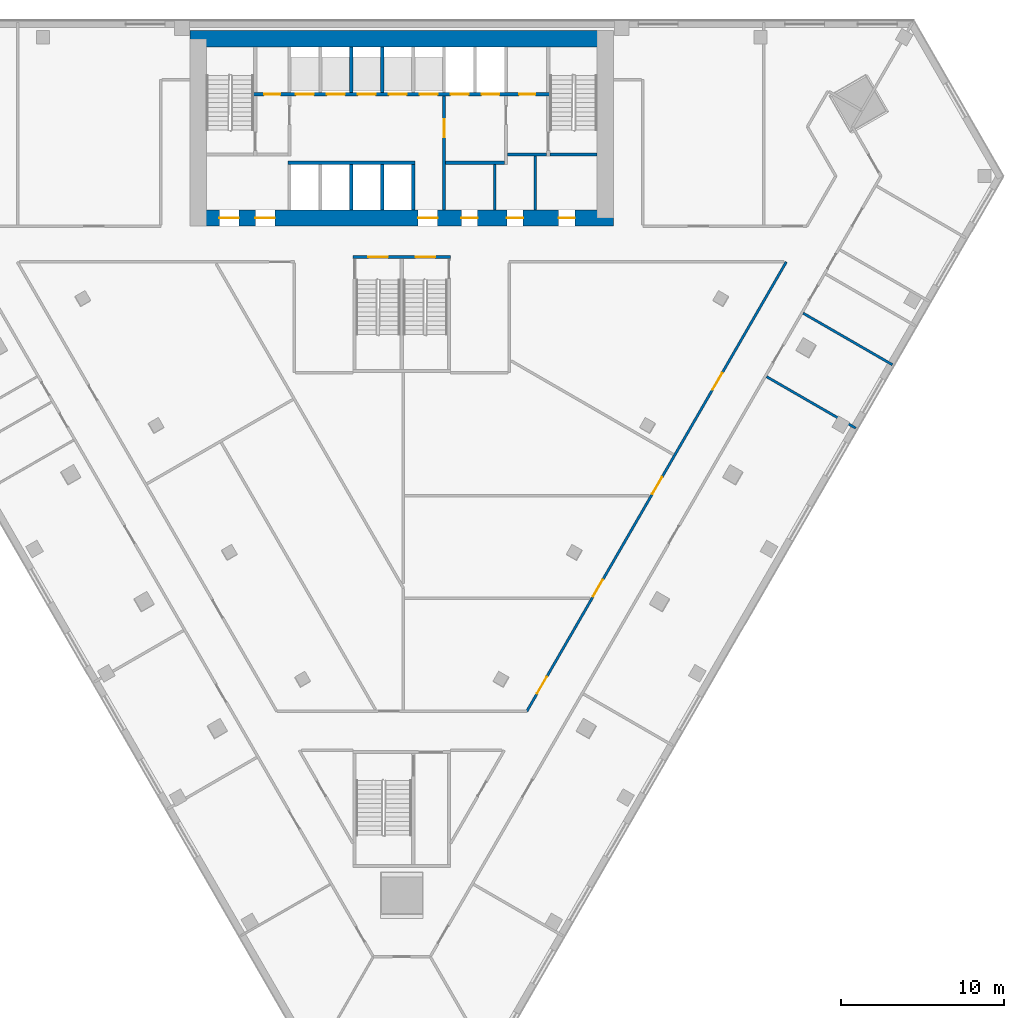
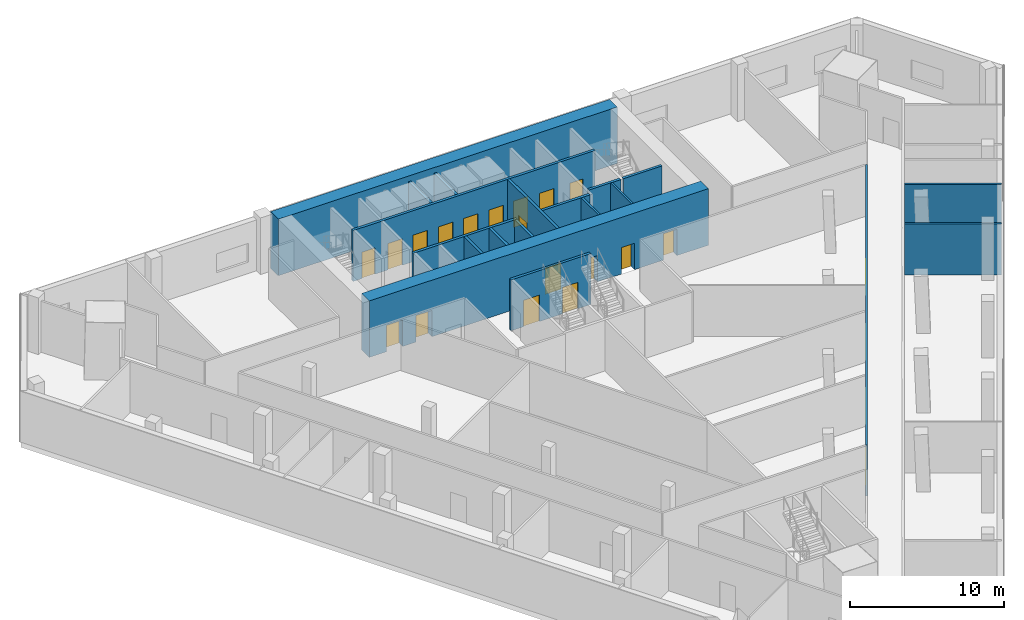
# One storey, part 5 of 9: 22 doors, 19 walls, 22 openings.
"""IFC4 building model written with IfcOpenShell, lengths in metres."""

from ifc_helpers import new_model, si_unit, direction, frame, frame_2d, origin, place, context, subcontext, project, spatial, rectangle, extrude, material, layer, layer_set, type_object, element, fill, save


model = new_model("IFC4")

# Units and contexts
model_context = context("Model", 3, precision=1e-05, world=origin(), true_north=direction((0.0, 1.0)))
body_context = subcontext(model_context, "Body", "Model", "MODEL_VIEW")
ifc_project = project(units=[si_unit("LENGTHUNIT", "METRE"), si_unit("AREAUNIT", "SQUARE_METRE"), si_unit("VOLUMEUNIT", "CUBIC_METRE"), si_unit("PLANEANGLEUNIT", "RADIAN"), si_unit("MASSUNIT", "GRAM", prefix="KILO")], contexts=[model_context])

# Site, building, storey
site_placement = place(None, origin())
site = spatial("IfcSite", under=ifc_project, at=site_placement, CompositionType="ELEMENT")
building_placement = place(site_placement, origin())
building = spatial("IfcBuilding", under=site, at=building_placement, Name="Altiplano Prism Tower", CompositionType="ELEMENT")
storey_placement = place(building_placement, frame((0.0, 0.0, 13.5)))
storey = spatial("IfcBuildingStorey", under=building, at=storey_placement, Name="L02", CompositionType="ELEMENT", Elevation=13.5)

# Wall, openings, doors
ifc_material_1 = material(Name="Concrete C70/85", Category="concrete")
ifc_layer_1 = layer(ifc_material_1, 1.0)
ifc_layer_set_1 = layer_set([ifc_layer_1], Name="Concrete C70/85")
wall_type_1 = type_object("IfcWallType", Name="Core wall 1000", PredefinedType="SHEAR", material=ifc_layer_set_1)
wall_1_placement = place(storey_placement, frame((72.5, 92.89990234375, 0.0), z_axis=(0.0, 0.0, 1.0), x_axis=(1.0, 0.0, 0.0)))
wall_1 = element("IfcWall", 1, at=wall_1_placement, inside=storey, type_object=wall_type_1, Name="Core wall S L02", PredefinedType="SHEAR", context=body_context, shape_type="SweptSolid", body=[
    extrude(rectangle(XDim=25.5, YDim=1.0, at=frame_2d((12.75, 0.0))), origin(), (0.0, 0.0, 1.0), 4.5),
])
opening_1_placement = place(wall_1_placement, frame((1.300048828125, 0.0, 0.0)))
opening_1 = element("IfcOpeningElement", 2, at=opening_1_placement, cuts=wall_1, Name="Opening D2618", PredefinedType="OPENING", context=body_context, shape_type="SweptSolid", body=[
    extrude(rectangle(XDim=1.199951171875, YDim=2.10009765625, at=frame_2d((0.60009765625, 1.050048828125))), frame((0.0, 0.510498046875, 0.0), z_axis=(0.0, -1.0, 0.0), x_axis=(1.0, 0.0, 0.0)), (0.0, 0.0, 1.0), 1.02099609375),
])
opening_2_placement = place(wall_1_placement, frame((3.5, 0.0, 0.0)))
opening_2 = element("IfcOpeningElement", 3, at=opening_2_placement, cuts=wall_1, Name="Opening D2619", PredefinedType="OPENING", context=body_context, shape_type="SweptSolid", body=[
    extrude(rectangle(XDim=1.199951171875, YDim=2.10009765625, at=frame_2d((0.60009765625, 1.050048828125))), frame((0.0, 0.510498046875, 0.0), z_axis=(0.0, -1.0, 0.0), x_axis=(1.0, 0.0, 0.0)), (0.0, 0.0, 1.0), 1.02099609375),
])
opening_3_placement = place(wall_1_placement, frame((13.5, 0.0, 0.0)))
opening_3 = element("IfcOpeningElement", 4, at=opening_3_placement, cuts=wall_1, Name="Opening D2620", PredefinedType="OPENING", context=body_context, shape_type="SweptSolid", body=[
    extrude(rectangle(XDim=1.199951171875, YDim=2.10009765625, at=frame_2d((0.60009765625, 1.050048828125))), frame((0.0, 0.510498046875, 0.0), z_axis=(0.0, -1.0, 0.0), x_axis=(1.0, 0.0, 0.0)), (0.0, 0.0, 1.0), 1.02099609375),
])
opening_4_placement = place(wall_1_placement, frame((16.16259765625, 0.0, 0.0)))
opening_4 = element("IfcOpeningElement", 5, at=opening_4_placement, cuts=wall_1, Name="Opening D2623", PredefinedType="OPENING", context=body_context, shape_type="SweptSolid", body=[
    extrude(rectangle(XDim=1.0, YDim=2.10009765625, at=frame_2d((0.5, 1.050048828125))), frame((0.0, 0.510498046875, 0.0), z_axis=(0.0, -1.0, 0.0), x_axis=(1.0, 0.0, 0.0)), (0.0, 0.0, 1.0), 1.02099609375),
])
opening_5_placement = place(wall_1_placement, frame((18.949951171875, 0.0, 0.0)))
opening_5 = element("IfcOpeningElement", 6, at=opening_5_placement, cuts=wall_1, Name="Opening D2624", PredefinedType="OPENING", context=body_context, shape_type="SweptSolid", body=[
    extrude(rectangle(XDim=1.0, YDim=2.10009765625, at=frame_2d((0.5, 1.050048828125))), frame((0.0, 0.510498046875, 0.0), z_axis=(0.0, -1.0, 0.0), x_axis=(1.0, 0.0, 0.0)), (0.0, 0.0, 1.0), 1.02099609375),
])
opening_6_placement = place(wall_1_placement, frame((22.137451171875, 0.0, 0.0)))
opening_6 = element("IfcOpeningElement", 7, at=opening_6_placement, cuts=wall_1, Name="Opening D2625", PredefinedType="OPENING", context=body_context, shape_type="SweptSolid", body=[
    extrude(rectangle(XDim=1.0, YDim=2.10009765625, at=frame_2d((0.5, 1.050048828125))), frame((0.0, 0.510498046875, 0.0), z_axis=(0.0, -1.0, 0.0), x_axis=(1.0, 0.0, 0.0)), (0.0, 0.0, 1.0), 1.02099609375),
])
ifc_material_2 = material(Name="Fire-rated steel door", Category="steel")
door_type_1 = type_object("IfcDoorType", Name="Core room door 1000 x 2100", OperationType="NOTDEFINED", PredefinedType="NOTDEFINED", material=ifc_material_2)
door_1_placement = place(opening_4_placement, origin())
door_1 = element("IfcDoor", 8, at=door_1_placement, inside=storey, type_object=door_type_1, Name="Core room door D2623", OperationType="SINGLE_SWING_RIGHT", OverallHeight=2.10009765625, OverallWidth=1.0, PredefinedType="NOTDEFINED", context=body_context, shape_type="SweptSolid", body=[
    extrude(rectangle(XDim=1.0, YDim=2.10009765625, at=frame_2d((0.5, 1.050048828125))), frame((0.0, 0.02490234375, 0.0), z_axis=(0.0, -1.0, 0.0), x_axis=(1.0, 0.0, 0.0)), (0.0, 0.0, 1.0), 0.050048828125),
])
fill(opening_4, door_1)
door_2_placement = place(opening_5_placement, origin())
door_2 = element("IfcDoor", 9, at=door_2_placement, inside=storey, type_object=door_type_1, Name="Core room door D2624", OperationType="SINGLE_SWING_LEFT", OverallHeight=2.10009765625, OverallWidth=1.0, PredefinedType="NOTDEFINED", context=body_context, shape_type="SweptSolid", body=[
    extrude(rectangle(XDim=1.0, YDim=2.10009765625, at=frame_2d((0.5, 1.050048828125))), frame((0.0, 0.02490234375, 0.0), z_axis=(0.0, -1.0, 0.0), x_axis=(1.0, 0.0, 0.0)), (0.0, 0.0, 1.0), 0.050048828125),
])
fill(opening_5, door_2)
door_3_placement = place(opening_6_placement, origin())
door_3 = element("IfcDoor", 10, at=door_3_placement, inside=storey, type_object=door_type_1, Name="Core room door D2625", OperationType="SINGLE_SWING_RIGHT", OverallHeight=2.10009765625, OverallWidth=1.0, PredefinedType="NOTDEFINED", context=body_context, shape_type="SweptSolid", body=[
    extrude(rectangle(XDim=1.0, YDim=2.10009765625, at=frame_2d((0.5, 1.050048828125))), frame((0.0, 0.02490234375, 0.0), z_axis=(0.0, -1.0, 0.0), x_axis=(1.0, 0.0, 0.0)), (0.0, 0.0, 1.0), 0.050048828125),
])
fill(opening_6, door_3)
door_type_2 = type_object("IfcDoorType", Name="Lobby fire door 1200 x 2100", OperationType="NOTDEFINED", PredefinedType="NOTDEFINED", material=ifc_material_2)
door_4_placement = place(opening_1_placement, origin())
door_4 = element("IfcDoor", 11, at=door_4_placement, inside=storey, type_object=door_type_2, Name="Lobby fire door D2618", OperationType="SINGLE_SWING_RIGHT", OverallHeight=2.10009765625, OverallWidth=1.199951171875, PredefinedType="NOTDEFINED", context=body_context, shape_type="SweptSolid", body=[
    extrude(rectangle(XDim=1.199951171875, YDim=2.10009765625, at=frame_2d((0.60009765625, 1.050048828125))), frame((0.0, 0.02490234375, 0.0), z_axis=(0.0, -1.0, 0.0), x_axis=(1.0, 0.0, 0.0)), (0.0, 0.0, 1.0), 0.050048828125),
])
fill(opening_1, door_4)
door_5_placement = place(opening_2_placement, origin())
door_5 = element("IfcDoor", 12, at=door_5_placement, inside=storey, type_object=door_type_2, Name="Lobby fire door D2619", OperationType="SINGLE_SWING_LEFT", OverallHeight=2.10009765625, OverallWidth=1.199951171875, PredefinedType="NOTDEFINED", context=body_context, shape_type="SweptSolid", body=[
    extrude(rectangle(XDim=1.199951171875, YDim=2.10009765625, at=frame_2d((0.60009765625, 1.050048828125))), frame((0.0, 0.02490234375, 0.0), z_axis=(0.0, -1.0, 0.0), x_axis=(1.0, 0.0, 0.0)), (0.0, 0.0, 1.0), 0.050048828125),
])
fill(opening_2, door_5)
door_6_placement = place(opening_3_placement, origin())
door_6 = element("IfcDoor", 13, at=door_6_placement, inside=storey, type_object=door_type_2, Name="Lobby fire door D2620", OperationType="SINGLE_SWING_RIGHT", OverallHeight=2.10009765625, OverallWidth=1.199951171875, PredefinedType="NOTDEFINED", context=body_context, shape_type="SweptSolid", body=[
    extrude(rectangle(XDim=1.199951171875, YDim=2.10009765625, at=frame_2d((0.60009765625, 1.050048828125))), frame((0.0, 0.02490234375, 0.0), z_axis=(0.0, -1.0, 0.0), x_axis=(1.0, 0.0, 0.0)), (0.0, 0.0, 1.0), 0.050048828125),
])
fill(opening_3, door_6)

# Wall
wall_2_placement = place(storey_placement, frame((97.5, 103.89990234375, 0.0), z_axis=(0.0, 0.0, 1.0), x_axis=(-1.0, 0.0, 0.0)))
element("IfcWall", 14, at=wall_2_placement, inside=storey, type_object=wall_type_1, Name="Core wall N L02", PredefinedType="SHEAR", context=body_context, shape_type="SweptSolid", body=[
    extrude(rectangle(XDim=25.5, YDim=1.0, at=frame_2d((12.75, 0.0))), origin(), (0.0, 0.0, 1.0), 4.5),
])

# Wall, openings, doors
ifc_material_3 = material(Name="Plasterboard on steel stud", Category="steel")
ifc_layer_2 = layer(ifc_material_3, 0.14990234375)
ifc_layer_set_2 = layer_set([ifc_layer_2], Name="Plasterboard on steel stud")
wall_type_2 = type_object("IfcWallType", Name="Partition 150 corridor", PredefinedType="PARTITIONING", material=ifc_layer_set_2)
wall_3_placement = place(storey_placement, frame((108.613525390625, 90.199951171875, 0.0), z_axis=(0.0, 0.0, 1.0), x_axis=(-0.500000743568, -0.866024974485, 0.0)))
wall_3 = element("IfcWall", 15, at=wall_3_placement, inside=storey, type_object=wall_type_2, Name="Partition P06 L02 011", PredefinedType="PARTITIONING", context=body_context, shape_type="SweptSolid", body=[
    extrude(rectangle(XDim=31.86962890625, YDim=0.14990234375, at=frame_2d((15.934814453125, 0.0))), origin(), (0.0, 0.0, 1.0), 4.050048828125),
])
opening_7_placement = place(wall_3_placement, frame((7.865966796875, 0.0, 0.0)))
opening_7 = element("IfcOpeningElement", 16, at=opening_7_placement, cuts=wall_3, Name="Opening D0069", PredefinedType="OPENING", context=body_context, shape_type="SweptSolid", body=[
    extrude(rectangle(XDim=1.199951171875, YDim=2.10009765625, at=frame_2d((0.60009765625, 1.050048828125))), frame((0.0, 0.08544921875, 0.0), z_axis=(0.0, -1.0, 0.0), x_axis=(1.0, 0.0, 0.0)), (0.0, 0.0, 1.0), 0.1708984375),
])
opening_8_placement = place(wall_3_placement, frame((15.25, 0.0, 0.0)))
opening_8 = element("IfcOpeningElement", 17, at=opening_8_placement, cuts=wall_3, Name="Opening D0071", PredefinedType="OPENING", context=body_context, shape_type="SweptSolid", body=[
    extrude(rectangle(XDim=1.199951171875, YDim=2.10009765625, at=frame_2d((0.60009765625, 1.050048828125))), frame((0.0, 0.08544921875, 0.0), z_axis=(0.0, -1.0, 0.0), x_axis=(1.0, 0.0, 0.0)), (0.0, 0.0, 1.0), 0.1708984375),
])
opening_9_placement = place(wall_3_placement, frame((22.535888671875, 0.0, 0.0)))
opening_9 = element("IfcOpeningElement", 18, at=opening_9_placement, cuts=wall_3, Name="Opening D0075", PredefinedType="OPENING", context=body_context, shape_type="SweptSolid", body=[
    extrude(rectangle(XDim=1.199951171875, YDim=2.10009765625, at=frame_2d((0.60009765625, 1.050048828125))), frame((0.0, 0.08544921875, 0.0), z_axis=(0.0, -1.0, 0.0), x_axis=(1.0, 0.0, 0.0)), (0.0, 0.0, 1.0), 0.1708984375),
])
opening_10_placement = place(wall_3_placement, frame((29.419921875, 0.0, 0.0)))
opening_10 = element("IfcOpeningElement", 19, at=opening_10_placement, cuts=wall_3, Name="Opening D0077", PredefinedType="OPENING", context=body_context, shape_type="SweptSolid", body=[
    extrude(rectangle(XDim=1.199951171875, YDim=2.10009765625, at=frame_2d((0.60009765625, 1.050048828125))), frame((0.0, 0.08544921875, 0.0), z_axis=(0.0, -1.0, 0.0), x_axis=(1.0, 0.0, 0.0)), (0.0, 0.0, 1.0), 0.1708984375),
])
ifc_material_4 = material(Name="Timber", Category="wood")
door_type_3 = type_object("IfcDoorType", Name="Shared room door 1200 x 2100", OperationType="NOTDEFINED", PredefinedType="NOTDEFINED", material=ifc_material_4)
door_7_placement = place(opening_7_placement, origin())
door_7 = element("IfcDoor", 20, at=door_7_placement, inside=storey, type_object=door_type_3, Name="Door D0069", OperationType="SINGLE_SWING_RIGHT", OverallHeight=2.10009765625, OverallWidth=1.199951171875, PredefinedType="NOTDEFINED", context=body_context, shape_type="SweptSolid", body=[
    extrude(rectangle(XDim=1.199951171875, YDim=2.10009765625, at=frame_2d((0.60009765625, 1.050048828125))), frame((0.0, 0.02490234375, 0.0), z_axis=(0.0, -1.0, 0.0), x_axis=(1.0, 0.0, 0.0)), (0.0, 0.0, 1.0), 0.050048828125),
])
fill(opening_7, door_7)
door_8_placement = place(opening_8_placement, origin())
door_8 = element("IfcDoor", 21, at=door_8_placement, inside=storey, type_object=door_type_3, Name="Door D0071", OperationType="SINGLE_SWING_LEFT", OverallHeight=2.10009765625, OverallWidth=1.199951171875, PredefinedType="NOTDEFINED", context=body_context, shape_type="SweptSolid", body=[
    extrude(rectangle(XDim=1.199951171875, YDim=2.10009765625, at=frame_2d((0.60009765625, 1.050048828125))), frame((0.0, 0.02490234375, 0.0), z_axis=(0.0, -1.0, 0.0), x_axis=(1.0, 0.0, 0.0)), (0.0, 0.0, 1.0), 0.050048828125),
])
fill(opening_8, door_8)
door_9_placement = place(opening_9_placement, origin())
door_9 = element("IfcDoor", 22, at=door_9_placement, inside=storey, type_object=door_type_3, Name="Door D0075", OperationType="SINGLE_SWING_LEFT", OverallHeight=2.10009765625, OverallWidth=1.199951171875, PredefinedType="NOTDEFINED", context=body_context, shape_type="SweptSolid", body=[
    extrude(rectangle(XDim=1.199951171875, YDim=2.10009765625, at=frame_2d((0.60009765625, 1.050048828125))), frame((0.0, 0.02490234375, 0.0), z_axis=(0.0, -1.0, 0.0), x_axis=(1.0, 0.0, 0.0)), (0.0, 0.0, 1.0), 0.050048828125),
])
fill(opening_9, door_9)
door_10_placement = place(opening_10_placement, origin())
door_10 = element("IfcDoor", 23, at=door_10_placement, inside=storey, type_object=door_type_3, Name="Door D0077", OperationType="SINGLE_SWING_RIGHT", OverallHeight=2.10009765625, OverallWidth=1.199951171875, PredefinedType="NOTDEFINED", context=body_context, shape_type="SweptSolid", body=[
    extrude(rectangle(XDim=1.199951171875, YDim=2.10009765625, at=frame_2d((0.60009765625, 1.050048828125))), frame((0.0, 0.02490234375, 0.0), z_axis=(0.0, -1.0, 0.0), x_axis=(1.0, 0.0, 0.0)), (0.0, 0.0, 1.0), 0.050048828125),
])
fill(opening_10, door_10)

# Walls
ifc_layer_3 = layer(ifc_material_3, 0.14990234375)
ifc_layer_set_3 = layer_set([ifc_layer_3], Name="Plasterboard on steel stud")
wall_type_3 = type_object("IfcWallType", Name="Partition 150 party", PredefinedType="PARTITIONING", material=ifc_layer_set_3)
for number, where, z_axis, x_axis, name in (
    (24, (112.881103515625, 79.991455078125, 0.0), (0.0, 0.0, 1.0), (-0.866042250622, 0.499970819286, 0.0), "Partition P01 L02 047"),
    (25, (115.131103515625, 83.888427734375, 0.0), (0.0, 0.0, 1.0), (-0.866025537322, 0.499999768706, 0.0), "Partition P01 L02 048"),
):
    element("IfcWall", number, at=place(storey_placement, frame(where, z_axis=z_axis, x_axis=x_axis)), inside=storey, type_object=wall_type_3, Name=name, PredefinedType="PARTITIONING", context=body_context, shape_type="SweptSolid", body=[
        extrude(rectangle(XDim=6.3251953125, YDim=0.14990234375, at=frame_2d((3.16259765625, 0.0))), origin(), (0.0, 0.0, 1.0), 4.050048828125),
    ])
ifc_material_5 = material(Name="Fire-rated gypsum board partition")
ifc_layer_4 = layer(ifc_material_5, 0.14990234375)
ifc_layer_set_4 = layer_set([ifc_layer_4], Name="Fire-rated gypsum board partition")
wall_type_4 = type_object("IfcWallType", Name="Room partition 150", PredefinedType="PARTITIONING", material=ifc_layer_set_4)
wall_4_placement = place(storey_placement, frame((90.699951171875, 93.39990234375, 0.0), z_axis=(0.0, 0.0, 1.0), x_axis=(0.0, 1.0, 0.0)))
element("IfcWall", 26, at=wall_4_placement, inside=storey, type_object=wall_type_4, Name="Room partition L02", PredefinedType="PARTITIONING", context=body_context, shape_type="SweptSolid", body=[
    extrude(rectangle(XDim=2.800048828125, YDim=0.14990234375, at=frame_2d((1.39990234375, 0.0))), origin(), (0.0, 0.0, 1.0), 4.050048828125),
])
wall_5_placement = place(storey_placement, frame((93.199951171875, 93.39990234375, 0.0), z_axis=(0.0, 0.0, 1.0), x_axis=(0.0, 1.0, 0.0)))
element("IfcWall", 27, at=wall_5_placement, inside=storey, type_object=wall_type_4, Name="Room partition L02", PredefinedType="PARTITIONING", context=body_context, shape_type="SweptSolid", body=[
    extrude(rectangle(XDim=3.300048828125, YDim=0.14990234375, at=frame_2d((1.64990234375, 0.0))), origin(), (0.0, 0.0, 1.0), 4.050048828125),
])
ifc_material_6 = material(Name="Concrete C60/75", Category="concrete")
ifc_layer_5 = layer(ifc_material_6, 0.199951171875)
ifc_layer_set_5 = layer_set([ifc_layer_5], Name="Concrete C60/75")
wall_type_5 = type_object("IfcWallType", Name="Shaft wall 200", PredefinedType="SOLIDWALL", material=ifc_layer_set_5)
for number, where, z_axis, x_axis, name in (
    (28, (81.89990234375, 93.39990234375, 0.0), (0.0, 0.0, 1.0), (0.0, 1.0, 0.0), "Shaft wall L02"),
    (29, (83.800048828125, 93.39990234375, 0.0), (0.0, 0.0, 1.0), (0.0, 1.0, 0.0), "Shaft wall L02"),
    (30, (85.699951171875, 93.39990234375, 0.0), (0.0, 0.0, 1.0), (0.0, 1.0, 0.0), "Shaft wall L02"),
):
    element("IfcWall", number, at=place(storey_placement, frame(where, z_axis=z_axis, x_axis=x_axis)), inside=storey, type_object=wall_type_5, Name=name, PredefinedType="SOLIDWALL", context=body_context, shape_type="SweptSolid", body=[
        extrude(rectangle(XDim=2.800048828125, YDim=0.199951171875, at=frame_2d((1.39990234375, 0.0))), origin(), (0.0, 0.0, 1.0), 4.050048828125),
    ])
wall_6_placement = place(storey_placement, frame((78.0, 96.300048828125, 0.0), z_axis=(0.0, 0.0, 1.0), x_axis=(1.0, 0.0, 0.0)))
element("IfcWall", 31, at=wall_6_placement, inside=storey, type_object=wall_type_5, Name="Shaft wall L02", PredefinedType="SOLIDWALL", context=body_context, shape_type="SweptSolid", body=[
    extrude(rectangle(XDim=7.800048828125, YDim=0.199951171875, at=frame_2d((3.89990234375, 0.0))), origin(), (0.0, 0.0, 1.0), 4.050048828125),
])
for number, where, z_axis, x_axis, name in (
    (32, (81.89990234375, 100.60009765625, 0.0), (0.0, 0.0, 1.0), (0.0, 1.0, 0.0), "Shaft wall L02"),
    (33, (83.800048828125, 100.60009765625, 0.0), (0.0, 0.0, 1.0), (0.0, 1.0, 0.0), "Shaft wall L02"),
):
    element("IfcWall", number, at=place(storey_placement, frame(where, z_axis=z_axis, x_axis=x_axis)), inside=storey, type_object=wall_type_5, Name=name, PredefinedType="SOLIDWALL", context=body_context, shape_type="SweptSolid", body=[
        extrude(rectangle(XDim=2.7998046875, YDim=0.199951171875, at=frame_2d((1.39990234375, 0.0))), origin(), (0.0, 0.0, 1.0), 4.050048828125),
    ])
ifc_layer_6 = layer(ifc_material_6, 0.199951171875)
ifc_layer_set_6 = layer_set([ifc_layer_6], Name="Concrete C60/75")
wall_type_6 = type_object("IfcWallType", Name="Stair wall 200", PredefinedType="SOLIDWALL", material=ifc_layer_set_6)
wall_7_placement = place(storey_placement, frame((94.10009765625, 96.800048828125, 0.0), z_axis=(0.0, 0.0, 1.0), x_axis=(1.0, 0.0, 0.0)))
element("IfcWall", 34, at=wall_7_placement, inside=storey, type_object=wall_type_6, Name="Stair wall L02", PredefinedType="SOLIDWALL", context=body_context, shape_type="SweptSolid", body=[
    extrude(rectangle(XDim=2.89990234375, YDim=0.199951171875, at=frame_2d((1.449951171875, 0.0))), origin(), (0.0, 0.0, 1.0), 4.050048828125),
])

# Wall, openings, doors
wall_8_placement = place(storey_placement, frame((75.89990234375, 100.5, 0.0), z_axis=(0.0, 0.0, 1.0), x_axis=(1.0, 0.0, 0.0)))
wall_8 = element("IfcWall", 35, at=wall_8_placement, inside=storey, type_object=wall_type_6, Name="Stair wall L02", PredefinedType="SOLIDWALL", context=body_context, shape_type="SweptSolid", body=[
    extrude(rectangle(XDim=18.2001953125, YDim=0.199951171875, at=frame_2d((9.10009765625, 0.0))), origin(), (0.0, 0.0, 1.0), 4.050048828125),
])
opening_11_placement = place(wall_8_placement, frame((2.60009765625, 0.0, 0.0)))
opening_11 = element("IfcOpeningElement", 36, at=opening_11_placement, cuts=wall_8, Name="Opening LD-LL1-L02", PredefinedType="OPENING", context=body_context, shape_type="SweptSolid", body=[
    extrude(rectangle(XDim=1.10009765625, YDim=2.10009765625, at=frame_2d((0.550048828125, 1.050048828125))), frame((0.0, 0.1103515625, 0.0), z_axis=(0.0, -1.0, 0.0), x_axis=(1.0, 0.0, 0.0)), (0.0, 0.0, 1.0), 0.220947265625),
])
opening_12_placement = place(wall_8_placement, frame((4.5, 0.0, 0.0)))
opening_12 = element("IfcOpeningElement", 37, at=opening_12_placement, cuts=wall_8, Name="Opening LD-LL2-L02", PredefinedType="OPENING", context=body_context, shape_type="SweptSolid", body=[
    extrude(rectangle(XDim=1.10009765625, YDim=2.10009765625, at=frame_2d((0.550048828125, 1.050048828125))), frame((0.0, 0.1103515625, 0.0), z_axis=(0.0, -1.0, 0.0), x_axis=(1.0, 0.0, 0.0)), (0.0, 0.0, 1.0), 0.220947265625),
])
opening_13_placement = place(wall_8_placement, frame((6.39990234375, 0.0, 0.0)))
opening_13 = element("IfcOpeningElement", 38, at=opening_13_placement, cuts=wall_8, Name="Opening LD-LL3-L02", PredefinedType="OPENING", context=body_context, shape_type="SweptSolid", body=[
    extrude(rectangle(XDim=1.10009765625, YDim=2.10009765625, at=frame_2d((0.550048828125, 1.050048828125))), frame((0.0, 0.1103515625, 0.0), z_axis=(0.0, -1.0, 0.0), x_axis=(1.0, 0.0, 0.0)), (0.0, 0.0, 1.0), 0.220947265625),
])
opening_14_placement = place(wall_8_placement, frame((8.300048828125, 0.0, 0.0)))
opening_14 = element("IfcOpeningElement", 39, at=opening_14_placement, cuts=wall_8, Name="Opening LD-LL4-L02", PredefinedType="OPENING", context=body_context, shape_type="SweptSolid", body=[
    extrude(rectangle(XDim=1.10009765625, YDim=2.10009765625, at=frame_2d((0.550048828125, 1.050048828125))), frame((0.0, 0.1103515625, 0.0), z_axis=(0.0, -1.0, 0.0), x_axis=(1.0, 0.0, 0.0)), (0.0, 0.0, 1.0), 0.220947265625),
])
opening_15_placement = place(wall_8_placement, frame((10.199951171875, 0.0, 0.0)))
opening_15 = element("IfcOpeningElement", 40, at=opening_15_placement, cuts=wall_8, Name="Opening LD-LL5-L02", PredefinedType="OPENING", context=body_context, shape_type="SweptSolid", body=[
    extrude(rectangle(XDim=1.10009765625, YDim=2.10009765625, at=frame_2d((0.550048828125, 1.050048828125))), frame((0.0, 0.1103515625, 0.0), z_axis=(0.0, -1.0, 0.0), x_axis=(1.0, 0.0, 0.0)), (0.0, 0.0, 1.0), 0.220947265625),
])
opening_16_placement = place(wall_8_placement, frame((12.10009765625, 0.0, 0.0)))
opening_16 = element("IfcOpeningElement", 41, at=opening_16_placement, cuts=wall_8, Name="Opening LD-FF1-L02", PredefinedType="OPENING", context=body_context, shape_type="SweptSolid", body=[
    extrude(rectangle(XDim=1.10009765625, YDim=2.10009765625, at=frame_2d((0.550048828125, 1.050048828125))), frame((0.0, 0.1103515625, 0.0), z_axis=(0.0, -1.0, 0.0), x_axis=(1.0, 0.0, 0.0)), (0.0, 0.0, 1.0), 0.220947265625),
])
opening_17_placement = place(wall_8_placement, frame((14.0, 0.0, 0.0)))
opening_17 = element("IfcOpeningElement", 42, at=opening_17_placement, cuts=wall_8, Name="Opening LD-FF2-L02", PredefinedType="OPENING", context=body_context, shape_type="SweptSolid", body=[
    extrude(rectangle(XDim=1.10009765625, YDim=2.10009765625, at=frame_2d((0.550048828125, 1.050048828125))), frame((0.0, 0.1103515625, 0.0), z_axis=(0.0, -1.0, 0.0), x_axis=(1.0, 0.0, 0.0)), (0.0, 0.0, 1.0), 0.220947265625),
])
opening_18_placement = place(wall_8_placement, frame((0.64990234375, 0.0, 0.0)))
opening_18 = element("IfcOpeningElement", 43, at=opening_18_placement, cuts=wall_8, Name="Opening D2621", PredefinedType="OPENING", context=body_context, shape_type="SweptSolid", body=[
    extrude(rectangle(XDim=1.0, YDim=2.10009765625, at=frame_2d((0.5, 1.050048828125))), frame((0.0, 0.1103515625, 0.0), z_axis=(0.0, -1.0, 0.0), x_axis=(1.0, 0.0, 0.0)), (0.0, 0.0, 1.0), 0.220947265625),
])
opening_19_placement = place(wall_8_placement, frame((16.300048828125, 0.0, 0.0)))
opening_19 = element("IfcOpeningElement", 44, at=opening_19_placement, cuts=wall_8, Name="Opening D2622", PredefinedType="OPENING", context=body_context, shape_type="SweptSolid", body=[
    extrude(rectangle(XDim=1.0, YDim=2.10009765625, at=frame_2d((0.5, 1.050048828125))), frame((0.0, 0.1103515625, 0.0), z_axis=(0.0, -1.0, 0.0), x_axis=(1.0, 0.0, 0.0)), (0.0, 0.0, 1.0), 0.220947265625),
])
door_11_placement = place(opening_18_placement, origin())
door_11 = element("IfcDoor", 45, at=door_11_placement, inside=storey, type_object=door_type_1, Name="Core room door D2621", OperationType="SINGLE_SWING_LEFT", OverallHeight=2.10009765625, OverallWidth=1.0, PredefinedType="NOTDEFINED", context=body_context, shape_type="SweptSolid", body=[
    extrude(rectangle(XDim=1.0, YDim=2.10009765625, at=frame_2d((0.5, 1.050048828125))), frame((0.0, 0.02490234375, 0.0), z_axis=(0.0, -1.0, 0.0), x_axis=(1.0, 0.0, 0.0)), (0.0, 0.0, 1.0), 0.050048828125),
])
fill(opening_18, door_11)
door_12_placement = place(opening_19_placement, origin())
door_12 = element("IfcDoor", 46, at=door_12_placement, inside=storey, type_object=door_type_1, Name="Core room door D2622", OperationType="SINGLE_SWING_RIGHT", OverallHeight=2.10009765625, OverallWidth=1.0, PredefinedType="NOTDEFINED", context=body_context, shape_type="SweptSolid", body=[
    extrude(rectangle(XDim=1.0, YDim=2.10009765625, at=frame_2d((0.5, 1.050048828125))), frame((0.0, 0.02490234375, 0.0), z_axis=(0.0, -1.0, 0.0), x_axis=(1.0, 0.0, 0.0)), (0.0, 0.0, 1.0), 0.050048828125),
])
fill(opening_19, door_12)
ifc_material_7 = material(Name="Stainless steel landing door", Category="steel")
door_type_4 = type_object("IfcDoorType", Name="Landing door 1100 x 2100", OperationType="NOTDEFINED", PredefinedType="NOTDEFINED", material=ifc_material_7)
door_13_placement = place(opening_11_placement, origin())
door_13 = element("IfcDoor", 47, at=door_13_placement, inside=storey, type_object=door_type_4, Name="Landing doors LL1", OperationType="SLIDING_TO_RIGHT", OverallHeight=2.10009765625, OverallWidth=1.10009765625, PredefinedType="NOTDEFINED", context=body_context, shape_type="SweptSolid", body=[
    extrude(rectangle(XDim=1.10009765625, YDim=2.10009765625, at=frame_2d((0.550048828125, 1.050048828125))), frame((0.0, 0.02490234375, 0.0), z_axis=(0.0, -1.0, 0.0), x_axis=(1.0, 0.0, 0.0)), (0.0, 0.0, 1.0), 0.050048828125),
])
fill(opening_11, door_13)
door_14_placement = place(opening_12_placement, origin())
door_14 = element("IfcDoor", 48, at=door_14_placement, inside=storey, type_object=door_type_4, Name="Landing doors LL2", OperationType="SLIDING_TO_LEFT", OverallHeight=2.10009765625, OverallWidth=1.10009765625, PredefinedType="NOTDEFINED", context=body_context, shape_type="SweptSolid", body=[
    extrude(rectangle(XDim=1.10009765625, YDim=2.10009765625, at=frame_2d((0.550048828125, 1.050048828125))), frame((0.0, 0.02490234375, 0.0), z_axis=(0.0, -1.0, 0.0), x_axis=(1.0, 0.0, 0.0)), (0.0, 0.0, 1.0), 0.050048828125),
])
fill(opening_12, door_14)
door_15_placement = place(opening_13_placement, origin())
door_15 = element("IfcDoor", 49, at=door_15_placement, inside=storey, type_object=door_type_4, Name="Landing doors LL3", OperationType="SLIDING_TO_RIGHT", OverallHeight=2.10009765625, OverallWidth=1.10009765625, PredefinedType="NOTDEFINED", context=body_context, shape_type="SweptSolid", body=[
    extrude(rectangle(XDim=1.10009765625, YDim=2.10009765625, at=frame_2d((0.550048828125, 1.050048828125))), frame((0.0, 0.02490234375, 0.0), z_axis=(0.0, -1.0, 0.0), x_axis=(1.0, 0.0, 0.0)), (0.0, 0.0, 1.0), 0.050048828125),
])
fill(opening_13, door_15)
door_16_placement = place(opening_14_placement, origin())
door_16 = element("IfcDoor", 50, at=door_16_placement, inside=storey, type_object=door_type_4, Name="Landing doors LL4", OperationType="SLIDING_TO_LEFT", OverallHeight=2.10009765625, OverallWidth=1.10009765625, PredefinedType="NOTDEFINED", context=body_context, shape_type="SweptSolid", body=[
    extrude(rectangle(XDim=1.10009765625, YDim=2.10009765625, at=frame_2d((0.550048828125, 1.050048828125))), frame((0.0, 0.02490234375, 0.0), z_axis=(0.0, -1.0, 0.0), x_axis=(1.0, 0.0, 0.0)), (0.0, 0.0, 1.0), 0.050048828125),
])
fill(opening_14, door_16)
door_17_placement = place(opening_15_placement, origin())
door_17 = element("IfcDoor", 51, at=door_17_placement, inside=storey, type_object=door_type_4, Name="Landing doors LL5", OperationType="SLIDING_TO_RIGHT", OverallHeight=2.10009765625, OverallWidth=1.10009765625, PredefinedType="NOTDEFINED", context=body_context, shape_type="SweptSolid", body=[
    extrude(rectangle(XDim=1.10009765625, YDim=2.10009765625, at=frame_2d((0.550048828125, 1.050048828125))), frame((0.0, 0.02490234375, 0.0), z_axis=(0.0, -1.0, 0.0), x_axis=(1.0, 0.0, 0.0)), (0.0, 0.0, 1.0), 0.050048828125),
])
fill(opening_15, door_17)
door_18_placement = place(opening_16_placement, origin())
door_18 = element("IfcDoor", 52, at=door_18_placement, inside=storey, type_object=door_type_4, Name="Landing doors FF1", OperationType="SLIDING_TO_RIGHT", OverallHeight=2.10009765625, OverallWidth=1.10009765625, PredefinedType="NOTDEFINED", context=body_context, shape_type="SweptSolid", body=[
    extrude(rectangle(XDim=1.10009765625, YDim=2.10009765625, at=frame_2d((0.550048828125, 1.050048828125))), frame((0.0, 0.02490234375, 0.0), z_axis=(0.0, -1.0, 0.0), x_axis=(1.0, 0.0, 0.0)), (0.0, 0.0, 1.0), 0.050048828125),
])
fill(opening_16, door_18)
door_19_placement = place(opening_17_placement, origin())
door_19 = element("IfcDoor", 53, at=door_19_placement, inside=storey, type_object=door_type_4, Name="Landing doors FF2", OperationType="SLIDING_TO_LEFT", OverallHeight=2.10009765625, OverallWidth=1.10009765625, PredefinedType="NOTDEFINED", context=body_context, shape_type="SweptSolid", body=[
    extrude(rectangle(XDim=1.10009765625, YDim=2.10009765625, at=frame_2d((0.550048828125, 1.050048828125))), frame((0.0, 0.02490234375, 0.0), z_axis=(0.0, -1.0, 0.0), x_axis=(1.0, 0.0, 0.0)), (0.0, 0.0, 1.0), 0.050048828125),
])
fill(opening_17, door_19)

wall_9_placement = place(storey_placement, frame((82.0, 90.5, 0.0), z_axis=(0.0, 0.0, 1.0), x_axis=(1.0, 0.0, 0.0)))
wall_9 = element("IfcWall", 54, at=wall_9_placement, inside=storey, type_object=wall_type_6, Name="Stair 3 wall north L02", PredefinedType="SOLIDWALL", context=body_context, shape_type="SweptSolid", body=[
    extrude(rectangle(XDim=6.0, YDim=0.199951171875, at=frame_2d((3.0, 0.0))), origin(), (0.0, 0.0, 1.0), 4.050048828125),
])
opening_20_placement = place(wall_9_placement, frame((0.949951171875, 0.0, 0.0)))
opening_20 = element("IfcOpeningElement", 55, at=opening_20_placement, cuts=wall_9, Name="Opening D3920", PredefinedType="OPENING", context=body_context, shape_type="SweptSolid", body=[
    extrude(rectangle(XDim=1.199951171875, YDim=2.10009765625, at=frame_2d((0.60009765625, 1.050048828125))), frame((0.0, 0.1103515625, 0.0), z_axis=(0.0, -1.0, 0.0), x_axis=(1.0, 0.0, 0.0)), (0.0, 0.0, 1.0), 0.220947265625),
])
opening_21_placement = place(wall_9_placement, frame((3.85009765625, 0.0, 0.0)))
opening_21 = element("IfcOpeningElement", 56, at=opening_21_placement, cuts=wall_9, Name="Opening D3922", PredefinedType="OPENING", context=body_context, shape_type="SweptSolid", body=[
    extrude(rectangle(XDim=1.199951171875, YDim=2.10009765625, at=frame_2d((0.60009765625, 1.050048828125))), frame((0.0, 0.1103515625, 0.0), z_axis=(0.0, -1.0, 0.0), x_axis=(1.0, 0.0, 0.0)), (0.0, 0.0, 1.0), 0.220947265625),
])
door_type_5 = type_object("IfcDoorType", Name="Stair fire door 1200 x 2100", OperationType="NOTDEFINED", PredefinedType="NOTDEFINED", material=ifc_material_2)
door_20_placement = place(opening_20_placement, origin())
door_20 = element("IfcDoor", 57, at=door_20_placement, inside=storey, type_object=door_type_5, Name="Stair fire door D3920", OperationType="SINGLE_SWING_LEFT", OverallHeight=2.10009765625, OverallWidth=1.199951171875, PredefinedType="NOTDEFINED", context=body_context, shape_type="SweptSolid", body=[
    extrude(rectangle(XDim=1.199951171875, YDim=2.10009765625, at=frame_2d((0.60009765625, 1.050048828125))), frame((0.0, 0.02490234375, 0.0), z_axis=(0.0, -1.0, 0.0), x_axis=(1.0, 0.0, 0.0)), (0.0, 0.0, 1.0), 0.050048828125),
])
fill(opening_20, door_20)
door_21_placement = place(opening_21_placement, origin())
door_21 = element("IfcDoor", 58, at=door_21_placement, inside=storey, type_object=door_type_5, Name="Stair fire door D3922", OperationType="SINGLE_SWING_LEFT", OverallHeight=2.10009765625, OverallWidth=1.199951171875, PredefinedType="NOTDEFINED", context=body_context, shape_type="SweptSolid", body=[
    extrude(rectangle(XDim=1.199951171875, YDim=2.10009765625, at=frame_2d((0.60009765625, 1.050048828125))), frame((0.0, 0.02490234375, 0.0), z_axis=(0.0, -1.0, 0.0), x_axis=(1.0, 0.0, 0.0)), (0.0, 0.0, 1.0), 0.050048828125),
])
fill(opening_21, door_21)

# Wall, opening, door
ifc_layer_7 = layer(ifc_material_6, 0.199951171875)
ifc_layer_set_7 = layer_set([ifc_layer_7], Name="Concrete C60/75")
wall_type_7 = type_object("IfcWallType", Name="Vestibule wall 200", PredefinedType="PARTITIONING", material=ifc_layer_set_7)
wall_10_placement = place(storey_placement, frame((87.60009765625, 93.39990234375, 0.0), z_axis=(0.0, 0.0, 1.0), x_axis=(0.0, 1.0, 0.0)))
wall_10 = element("IfcWall", 59, at=wall_10_placement, inside=storey, type_object=wall_type_7, Name="Vestibule wall L02", PredefinedType="PARTITIONING", context=body_context, shape_type="SweptSolid", body=[
    extrude(rectangle(XDim=7.0, YDim=0.199951171875, at=frame_2d((3.5, 0.0))), origin(), (0.0, 0.0, 1.0), 4.050048828125),
])
opening_22_placement = place(wall_10_placement, frame((4.449951171875, 0.0, 0.0)))
opening_22 = element("IfcOpeningElement", 60, at=opening_22_placement, cuts=wall_10, Name="Opening D2616", PredefinedType="OPENING", context=body_context, shape_type="SweptSolid", body=[
    extrude(rectangle(XDim=1.10009765625, YDim=2.10009765625, at=frame_2d((0.550048828125, 1.050048828125))), frame((0.0, 0.1103515625, 0.0), z_axis=(0.0, -1.0, 0.0), x_axis=(1.0, 0.0, 0.0)), (0.0, 0.0, 1.0), 0.220947265625),
])
door_type_6 = type_object("IfcDoorType", Name="Vestibule fire door 1100 x 2100", OperationType="NOTDEFINED", PredefinedType="NOTDEFINED", material=ifc_material_2)
door_22_placement = place(opening_22_placement, origin())
door_22 = element("IfcDoor", 61, at=door_22_placement, inside=storey, type_object=door_type_6, Name="Vestibule fire door D2616", OperationType="SINGLE_SWING_RIGHT", OverallHeight=2.10009765625, OverallWidth=1.10009765625, PredefinedType="NOTDEFINED", context=body_context, shape_type="SweptSolid", body=[
    extrude(rectangle(XDim=1.10009765625, YDim=2.10009765625, at=frame_2d((0.550048828125, 1.050048828125))), frame((0.0, 0.02490234375, 0.0), z_axis=(0.0, -1.0, 0.0), x_axis=(1.0, 0.0, 0.0)), (0.0, 0.0, 1.0), 0.050048828125),
])
fill(opening_22, door_22)

# Walls
wall_11_placement = place(storey_placement, frame((87.699951171875, 96.300048828125, 0.0), z_axis=(0.0, 0.0, 1.0), x_axis=(1.0, 0.0, 0.0)))
element("IfcWall", 62, at=wall_11_placement, inside=storey, type_object=wall_type_7, Name="Vestibule wall L02", PredefinedType="PARTITIONING", context=body_context, shape_type="SweptSolid", body=[
    extrude(rectangle(XDim=3.60009765625, YDim=0.199951171875, at=frame_2d((1.800048828125, 0.0))), origin(), (0.0, 0.0, 1.0), 4.050048828125),
])
wall_12_placement = place(storey_placement, frame((91.5, 96.800048828125, 0.0), z_axis=(0.0, 0.0, 1.0), x_axis=(1.0, 0.0, 0.0)))
element("IfcWall", 63, at=wall_12_placement, inside=storey, type_object=wall_type_7, Name="Vestibule wall L02", PredefinedType="PARTITIONING", context=body_context, shape_type="SweptSolid", body=[
    extrude(rectangle(XDim=2.39990234375, YDim=0.199951171875, at=frame_2d((1.199951171875, 0.0))), origin(), (0.0, 0.0, 1.0), 4.050048828125),
])

save(model, "model.ifc")
